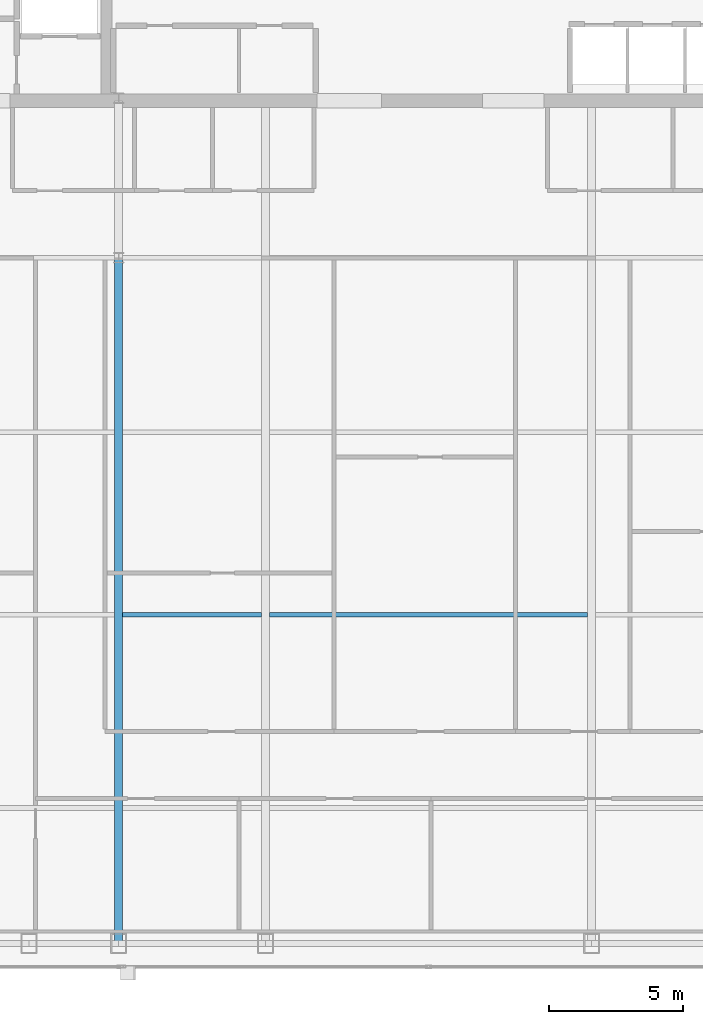
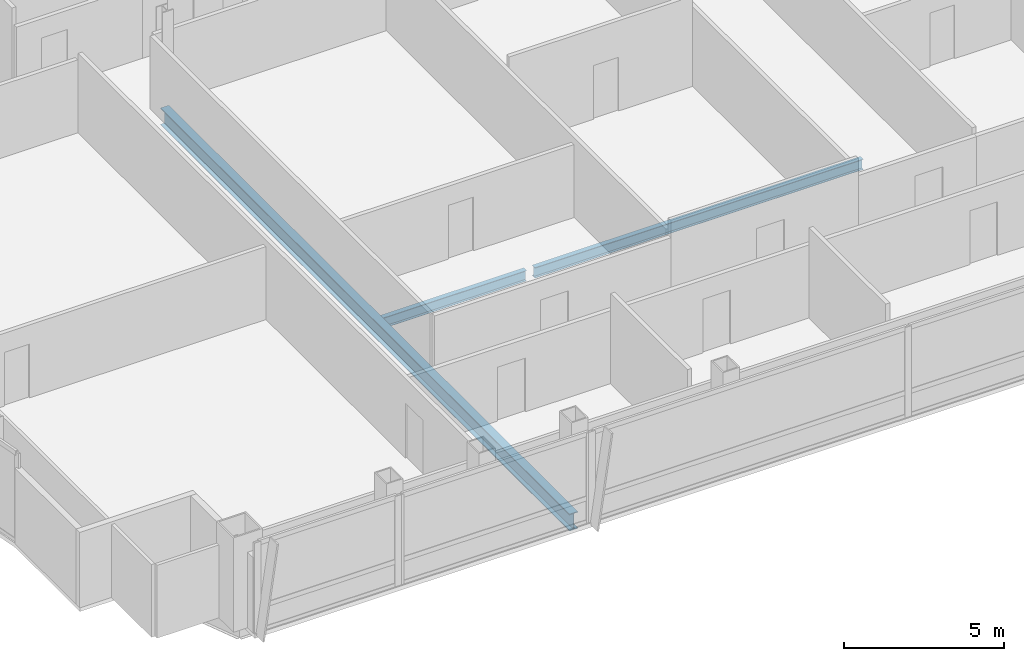
# One storey, part 9 of 30: 3 beams.
"""IFC4 building model written with IfcOpenShell, lengths in metres."""

from ifc_helpers import new_model, si_unit, direction, frame, origin, origin_2d, place, context, subcontext, project, spatial, i_section, extrude, material, material_profile, profile_set, type_object, element, save


model = new_model("IFC4")

# Units and contexts
model_context = context("Model", 3, precision=1e-05, world=origin(), true_north=direction((0.0, 1.0)))
body_context = subcontext(model_context, "Body", "Model", "MODEL_VIEW")
ifc_project = project(units=[si_unit("LENGTHUNIT", "METRE"), si_unit("AREAUNIT", "SQUARE_METRE"), si_unit("VOLUMEUNIT", "CUBIC_METRE"), si_unit("PLANEANGLEUNIT", "RADIAN"), si_unit("MASSUNIT", "GRAM", prefix="KILO")], contexts=[model_context])

# Site, building, storey
site_placement = place(None, origin())
site = spatial("IfcSite", under=ifc_project, at=site_placement, CompositionType="ELEMENT")
building_placement = place(site_placement, origin())
building = spatial("IfcBuilding", under=site, at=building_placement, Name="Khoronbel Lancet Exchange", CompositionType="ELEMENT")
storey_placement = place(building_placement, frame((0.0, 0.0, 277.0)))
storey = spatial("IfcBuildingStorey", under=building, at=storey_placement, Name="L71", CompositionType="ELEMENT", Elevation=277.0)

# Beams
ifc_material = material(Name="Steel S355", Category="steel")
ifc_material_profile_1 = material_profile(ifc_material, i_section(OverallWidth=0.300048828125, OverallDepth=0.64990234375, WebThickness=0.01611328125, FlangeThickness=0.031005859375, at=origin_2d()), Name="HEB 650")
ifc_profile_set_1 = profile_set([ifc_material_profile_1], Name="Steel S355")
beam_type_1 = type_object("IfcBeamType", Name="BM-BG4", PredefinedType="BEAM", material=ifc_profile_set_1)
beam_1_placement = place(storey_placement, frame((24.89990234375, 10.14990234375, -0.485107421875), z_axis=(0.0, 1.0, 0.0), x_axis=(-1.0, 0.0, 0.0)))
element("IfcBeam", 1, at=beam_1_placement, inside=storey, type_object=beam_type_1, Name="Level L71 south primary girder GS2", PredefinedType="BEAM", context=body_context, shape_type="SweptSolid", body=[
    extrude(i_section(OverallWidth=0.300048828125, OverallDepth=0.64990234375, WebThickness=0.01611328125, FlangeThickness=0.031005859375, at=origin_2d()), origin(), (0.0, 0.0, 1.0), 25.550048828125),
])
ifc_material_profile_2 = material_profile(ifc_material, i_section(OverallWidth=0.179931640625, OverallDepth=0.39990234375, WebThickness=0.008544921875, FlangeThickness=0.013427734375, at=origin_2d()), Name="IPE 400")
ifc_profile_set_2 = profile_set([ifc_material_profile_2], Name="Steel S355")
beam_type_2 = type_object("IfcBeamType", Name="BM-BJ5", PredefinedType="JOIST", material=ifc_profile_set_2)
beam_2_placement = place(storey_placement, frame((25.050048828125, 22.39990234375, -0.360107421875), z_axis=(1.0, 0.0, 0.0), x_axis=(0.0, 1.0, 0.0)))
element("IfcBeam", 2, at=beam_2_placement, inside=storey, type_object=beam_type_2, Name="Level L71 secondary composite joist J07", PredefinedType="JOIST", context=body_context, shape_type="SweptSolid", body=[
    extrude(i_section(OverallWidth=0.179931640625, OverallDepth=0.39990234375, WebThickness=0.008544921875, FlangeThickness=0.013427734375, at=origin_2d()), origin(), (0.0, 0.0, 1.0), 5.175048828125),
])
beam_3_placement = place(storey_placement, frame((30.52490234375, 22.39990234375, -0.360107421875), z_axis=(1.0, 0.0, 0.0), x_axis=(0.0, 1.0, 0.0)))
element("IfcBeam", 3, at=beam_3_placement, inside=storey, type_object=beam_type_2, Name="Level L71 secondary composite joist J08", PredefinedType="JOIST", context=body_context, shape_type="SweptSolid", body=[
    extrude(i_section(OverallWidth=0.179931640625, OverallDepth=0.39990234375, WebThickness=0.008544921875, FlangeThickness=0.013427734375, at=origin_2d()), origin(), (0.0, 0.0, 1.0), 11.85009765625),
])

save(model, "model.ifc")
